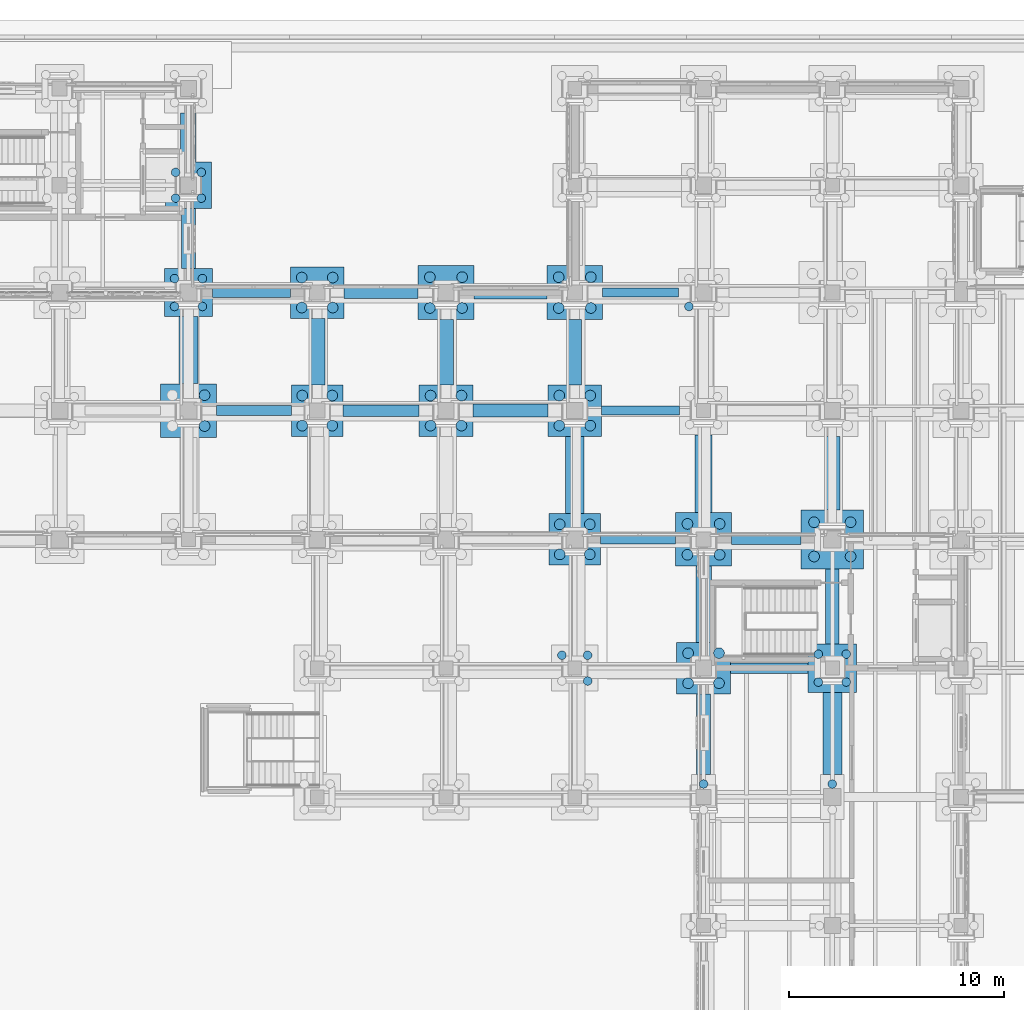
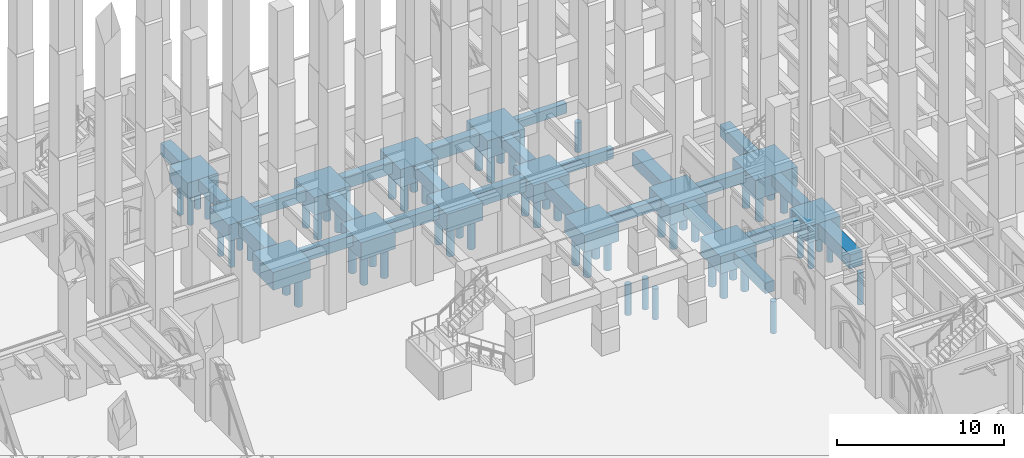
# One storey, part 5 of 135: 60 piles, 38 footings.
"""IFC4 building model written with IfcOpenShell, lengths in metres."""

from ifc_helpers import new_model, si_unit, direction, frame, origin, origin_2d, place, context, subcontext, project, spatial, polyline, rectangle, circle, outline, extrude, material, material_profile, profile_set, type_object, element, save


model = new_model("IFC4")

# Units and contexts
model_context = context("Model", 3, precision=1e-05, world=origin(), true_north=direction((0.0, 1.0)))
body_context = subcontext(model_context, "Body", "Model", "MODEL_VIEW")
ifc_project = project(units=[si_unit("LENGTHUNIT", "METRE"), si_unit("AREAUNIT", "SQUARE_METRE"), si_unit("VOLUMEUNIT", "CUBIC_METRE"), si_unit("PLANEANGLEUNIT", "RADIAN"), si_unit("MASSUNIT", "GRAM", prefix="KILO")], contexts=[model_context])

# Site, building, storey
site_placement = place(None, origin())
site = spatial("IfcSite", under=ifc_project, at=site_placement, CompositionType="ELEMENT")
building_placement = place(site_placement, origin())
building = spatial("IfcBuilding", under=site, at=building_placement, Name="Cumevento Cable Car Station", CompositionType="ELEMENT")
storey_placement = place(building_placement, origin())
storey = spatial("IfcBuildingStorey", under=building, at=storey_placement, Name="L01", CompositionType="ELEMENT", Elevation=0.0)

# Footings
ifc_material_1 = material(Name="Concrete C40/50", Category="concrete")
footing_type_1 = type_object("IfcFootingType", Name="Ground Beam GB-01 420x720", PredefinedType="FOOTING_BEAM", material=ifc_material_1)
footing_1_placement = place(storey_placement, frame((0.0, 0.0, -0.719970703125)))
element("IfcFooting", 1, at=footing_1_placement, inside=storey, type_object=footing_type_1, Name="Ground Tie Beam GB-01 #92", PredefinedType="FOOTING_BEAM", context=body_context, shape_type="SweptSolid", body=[
    extrude(outline(polyline([(53.201904296875, 44.7900390625), (56.697998046875, 44.7900390625), (56.697998046875, 45.2099609375), (53.201904296875, 45.2099609375), (53.201904296875, 44.7900390625)])), origin(), (0.0, 0.0, 1.0), 0.719970703125),
])
footing_2_placement = place(storey_placement, frame((0.0, 0.0, -0.719970703125)))
element("IfcFooting", 2, at=footing_2_placement, inside=storey, type_object=footing_type_1, Name="Ground Tie Beam GB-01 #116", PredefinedType="FOOTING_BEAM", context=body_context, shape_type="SweptSolid", body=[
    extrude(outline(polyline([(53.251953125, 50.7900390625), (56.873046875, 50.7900390625), (56.873046875, 51.2099609375), (53.251953125, 51.2099609375), (53.251953125, 50.7900390625)])), origin(), (0.0, 0.0, 1.0), 0.719970703125),
])
footing_3_placement = place(storey_placement, frame((0.0, 0.0, -0.719970703125)))
element("IfcFooting", 3, at=footing_3_placement, inside=storey, type_object=footing_type_1, Name="Ground Tie Beam GB-01 #136", PredefinedType="FOOTING_BEAM", context=body_context, shape_type="SweptSolid", body=[
    extrude(outline(polyline([(53.302001953125, 56.2900390625), (56.822998046875, 56.2900390625), (56.822998046875, 56.7099609375), (53.302001953125, 56.7099609375), (53.302001953125, 56.2900390625)])), origin(), (0.0, 0.0, 1.0), 0.719970703125),
])
ifc_material_2 = material(Name="Concrete C40/50", Category="concrete")
footing_type_2 = type_object("IfcFootingType", Name="Ground Beam GB-02 480x800", PredefinedType="FOOTING_BEAM", material=ifc_material_2)
footing_4_placement = place(storey_placement, frame((0.0, 0.0, -0.800048828125)))
element("IfcFooting", 4, at=footing_4_placement, inside=storey, type_object=footing_type_2, Name="Ground Tie Beam GB-02 #73", PredefinedType="FOOTING_BEAM", context=body_context, shape_type="SweptSolid", body=[
    extrude(outline(polyline([(59.251953125, 38.760009765625), (62.873046875, 38.760009765625), (62.873046875, 39.239990234375), (59.251953125, 39.239990234375), (59.251953125, 38.760009765625)])), origin(), (0.0, 0.0, 1.0), 0.800048828125),
])
footing_5_placement = place(storey_placement, frame((0.0, 0.0, -0.800048828125)))
element("IfcFooting", 5, at=footing_5_placement, inside=storey, type_object=footing_type_2, Name="Ground Tie Beam GB-02 #93", PredefinedType="FOOTING_BEAM", context=body_context, shape_type="SweptSolid", body=[
    extrude(outline(polyline([(59.302001953125, 44.760009765625), (62.548095703125, 44.760009765625), (62.548095703125, 45.239990234375), (59.302001953125, 45.239990234375), (59.302001953125, 44.760009765625)])), origin(), (0.0, 0.0, 1.0), 0.800048828125),
])
footing_6_placement = place(storey_placement, frame((0.0, 0.0, -0.800048828125)))
element("IfcFooting", 6, at=footing_6_placement, inside=storey, type_object=footing_type_2, Name="Ground Tie Beam GB-02 #113", PredefinedType="FOOTING_BEAM", context=body_context, shape_type="SweptSolid", body=[
    extrude(outline(polyline([(35.302001953125, 50.760009765625), (38.798095703125, 50.760009765625), (38.798095703125, 51.239990234375), (35.302001953125, 51.239990234375), (35.302001953125, 50.760009765625)])), origin(), (0.0, 0.0, 1.0), 0.800048828125),
])
footing_7_placement = place(storey_placement, frame((0.0, 0.0, -0.800048828125)))
element("IfcFooting", 7, at=footing_7_placement, inside=storey, type_object=footing_type_2, Name="Ground Tie Beam GB-02 #133", PredefinedType="FOOTING_BEAM", context=body_context, shape_type="SweptSolid", body=[
    extrude(outline(polyline([(35.126953125, 56.260009765625), (38.748046875, 56.260009765625), (38.748046875, 56.739990234375), (35.126953125, 56.739990234375), (35.126953125, 56.260009765625)])), origin(), (0.0, 0.0, 1.0), 0.800048828125),
])
ifc_material_3 = material(Name="Concrete C40/50", Category="concrete")
footing_type_3 = type_object("IfcFootingType", Name="Ground Beam GB-03 540x880", PredefinedType="FOOTING_BEAM", material=ifc_material_3)
footing_8_placement = place(storey_placement, frame((0.0, 0.0, -0.8798828125)))
element("IfcFooting", 8, at=footing_8_placement, inside=storey, type_object=footing_type_3, Name="Ground Tie Beam GB-03 #114", PredefinedType="FOOTING_BEAM", context=body_context, shape_type="SweptSolid", body=[
    extrude(outline(polyline([(41.201904296875, 50.72998046875), (44.748046875, 50.72998046875), (44.748046875, 51.27001953125), (41.201904296875, 51.27001953125), (41.201904296875, 50.72998046875)])), origin(), (0.0, 0.0, 1.0), 0.8798828125),
])
footing_9_placement = place(storey_placement, frame((0.0, 0.0, -0.8798828125)))
element("IfcFooting", 9, at=footing_9_placement, inside=storey, type_object=footing_type_3, Name="Ground Tie Beam GB-03 #134", PredefinedType="FOOTING_BEAM", context=body_context, shape_type="SweptSolid", body=[
    extrude(outline(polyline([(41.251953125, 56.22998046875), (44.697998046875, 56.22998046875), (44.697998046875, 56.77001953125), (41.251953125, 56.77001953125), (41.251953125, 56.22998046875)])), origin(), (0.0, 0.0, 1.0), 0.8798828125),
])
ifc_material_4 = material(Name="Concrete C40/50", Category="concrete")
footing_type_4 = type_object("IfcFootingType", Name="Ground Beam GB-04 600x960", PredefinedType="FOOTING_BEAM", material=ifc_material_4)
footing_10_placement = place(storey_placement, frame((0.0, 0.0, -0.9599609375)))
element("IfcFooting", 10, at=footing_10_placement, inside=storey, type_object=footing_type_4, Name="Ground Tie Beam GB-04 #115", PredefinedType="FOOTING_BEAM", context=body_context, shape_type="SweptSolid", body=[
    extrude(outline(polyline([(47.251953125, 50.699951171875), (50.748046875, 50.699951171875), (50.748046875, 51.300048828125), (47.251953125, 51.300048828125), (47.251953125, 50.699951171875)])), origin(), (0.0, 0.0, 1.0), 0.9599609375),
])
footing_11_placement = place(storey_placement, frame((0.0, 0.0, -0.9599609375)))
element("IfcFooting", 11, at=footing_11_placement, inside=storey, type_object=footing_type_4, Name="Ground Tie Beam GB-04 #135", PredefinedType="FOOTING_BEAM", context=body_context, shape_type="SweptSolid", body=[
    extrude(outline(polyline([(47.302001953125, 56.199951171875), (50.697998046875, 56.199951171875), (50.697998046875, 56.800048828125), (47.302001953125, 56.800048828125), (47.302001953125, 56.199951171875)])), origin(), (0.0, 0.0, 1.0), 0.9599609375),
])

# Piles
ifc_material_5 = material(Name="Concrete C40/50", Category="concrete")
ifc_material_profile_1 = material_profile(ifc_material_5, circle(Radius=0.199951171875, at=origin_2d()), Name="PILE-D400")
ifc_profile_set_1 = profile_set([ifc_material_profile_1], Name="Concrete C40/50")
pile_type_1 = type_object("IfcPileType", Name="PILE-BORED-400", PredefinedType="BORED", material=ifc_profile_set_1)
for number, where, z_axis, x_axis, name in (
    (12, (33.35009765625, 55.85009765625, -1.199951171875), (0.0, 0.0, -1.0), (1.0, 0.0, 0.0), "Bored Pile PL-400 #127"),
    (13, (34.64990234375, 55.85009765625, -1.199951171875), (0.0, 0.0, -1.0), (1.0, 0.0, 0.0), "Bored Pile PL-400 #128"),
    (14, (33.35009765625, 57.14990234375, -1.199951171875), (0.0, 0.0, -1.0), (1.0, 0.0, 0.0), "Bored Pile PL-400 #129"),
    (15, (34.64990234375, 57.14990234375, -1.199951171875), (0.0, 0.0, -1.0), (1.0, 0.0, 0.0), "Bored Pile PL-400 #130"),
):
    element("IfcPile", number, at=place(storey_placement, frame(where, z_axis=z_axis, x_axis=x_axis)), inside=storey, type_object=pile_type_1, Name=name, PredefinedType="BORED", context=body_context, shape_type="SweptSolid", body=[
        extrude(circle(Radius=0.199951171875, at=origin_2d()), origin(), (0.0, 0.0, 1.0), 2.199951171875),
    ])
for number, where, z_axis, x_axis, name in (
    (16, (33.39990234375, 60.89990234375, -1.14990234375), (0.0, 0.0, -1.0), (1.0, 0.0, 0.0), "Bored Pile PL-400 #131"),
    (17, (34.60009765625, 60.89990234375, -1.14990234375), (0.0, 0.0, -1.0), (1.0, 0.0, 0.0), "Bored Pile PL-400 #132"),
    (18, (33.39990234375, 62.10009765625, -1.14990234375), (0.0, 0.0, -1.0), (1.0, 0.0, 0.0), "Bored Pile PL-400 #133"),
    (19, (34.60009765625, 62.10009765625, -1.14990234375), (0.0, 0.0, -1.0), (1.0, 0.0, 0.0), "Bored Pile PL-400 #134"),
):
    element("IfcPile", number, at=place(storey_placement, frame(where, z_axis=z_axis, x_axis=x_axis)), inside=storey, type_object=pile_type_1, Name=name, PredefinedType="BORED", context=body_context, shape_type="SweptSolid", body=[
        extrude(circle(Radius=0.199951171875, at=origin_2d()), origin(), (0.0, 0.0, 1.0), 2.25),
    ])
pile_1_placement = place(storey_placement, frame((58.0, 33.60009765625, -1.050048828125), z_axis=(0.0, 0.0, -1.0), x_axis=(1.0, 0.0, 0.0)))
element("IfcPile", 20, at=pile_1_placement, inside=storey, type_object=pile_type_1, Name="Bored Pile PL-400 #214", PredefinedType="BORED", context=body_context, shape_type="SweptSolid", body=[
    extrude(circle(Radius=0.199951171875, at=origin_2d()), origin(), (0.0, 0.0, 1.0), 2.35009765625),
])
pile_2_placement = place(storey_placement, frame((57.320068359375, 55.85009765625, -1.219970703125), z_axis=(0.0, 0.0, -1.0), x_axis=(1.0, 0.0, 0.0)))
element("IfcPile", 21, at=pile_2_placement, inside=storey, type_object=pile_type_1, Name="Bored Pile PL-400 #227", PredefinedType="BORED", context=body_context, shape_type="SweptSolid", body=[
    extrude(circle(Radius=0.199951171875, at=origin_2d()), origin(), (0.0, 0.0, 1.0), 2.179931640625),
])
pile_3_placement = place(storey_placement, frame((64.0, 33.60009765625, -1.050048828125), z_axis=(0.0, 0.0, -1.0), x_axis=(1.0, 0.0, 0.0)))
element("IfcPile", 22, at=pile_3_placement, inside=storey, type_object=pile_type_1, Name="Bored Pile PL-400 #250", PredefinedType="BORED", context=body_context, shape_type="SweptSolid", body=[
    extrude(circle(Radius=0.199951171875, at=origin_2d()), origin(), (0.0, 0.0, 1.0), 2.35009765625),
])
for number, where, z_axis, x_axis, name in (
    (23, (63.35009765625, 38.35009765625, -1.199951171875), (0.0, 0.0, -1.0), (1.0, 0.0, 0.0), "Bored Pile PL-400 #251"),
    (24, (64.64990234375, 38.35009765625, -1.199951171875), (0.0, 0.0, -1.0), (1.0, 0.0, 0.0), "Bored Pile PL-400 #252"),
    (25, (63.35009765625, 39.64990234375, -1.199951171875), (0.0, 0.0, -1.0), (1.0, 0.0, 0.0), "Bored Pile PL-400 #253"),
    (26, (64.64990234375, 39.64990234375, -1.199951171875), (0.0, 0.0, -1.0), (1.0, 0.0, 0.0), "Bored Pile PL-400 #254"),
):
    element("IfcPile", number, at=place(storey_placement, frame(where, z_axis=z_axis, x_axis=x_axis)), inside=storey, type_object=pile_type_1, Name=name, PredefinedType="BORED", context=body_context, shape_type="SweptSolid", body=[
        extrude(circle(Radius=0.199951171875, at=origin_2d()), origin(), (0.0, 0.0, 1.0), 2.199951171875),
    ])
for number, where, z_axis, x_axis, name in (
    (27, (52.60009765625, 38.39990234375, -1.14990234375), (0.0, 0.0, -1.0), (1.0, 0.0, 0.0), "Bored Pile PL-400 Ext #38"),
    (28, (51.39990234375, 39.60009765625, -1.14990234375), (0.0, 0.0, -1.0), (1.0, 0.0, 0.0), "Bored Pile PL-400 Ext #39"),
    (29, (52.60009765625, 39.60009765625, -1.14990234375), (0.0, 0.0, -1.0), (1.0, 0.0, 0.0), "Bored Pile PL-400 Ext #40"),
):
    element("IfcPile", number, at=place(storey_placement, frame(where, z_axis=z_axis, x_axis=x_axis)), inside=storey, type_object=pile_type_1, Name=name, PredefinedType="BORED", context=body_context, shape_type="SweptSolid", body=[
        extrude(circle(Radius=0.199951171875, at=origin_2d()), origin(), (0.0, 0.0, 1.0), 2.25),
    ])
ifc_material_6 = material(Name="Concrete C40/50", Category="concrete")
ifc_material_profile_2 = material_profile(ifc_material_6, circle(Radius=0.25, at=origin_2d()), Name="PILE-D500")
ifc_profile_set_2 = profile_set([ifc_material_profile_2], Name="Concrete C40/50")
pile_type_2 = type_object("IfcPileType", Name="PILE-BORED-500", PredefinedType="BORED", material=ifc_profile_set_2)
for number, where, z_axis, x_axis, name in (
    (30, (34.75, 50.280029296875, -1.300048828125), (0.0, 0.0, -1.0), (1.0, 0.0, 0.0), "Bored Pile PL-500 #124"),
    (31, (34.75, 51.719970703125, -1.300048828125), (0.0, 0.0, -1.0), (1.0, 0.0, 0.0), "Bored Pile PL-500 #126"),
):
    element("IfcPile", number, at=place(storey_placement, frame(where, z_axis=z_axis, x_axis=x_axis)), inside=storey, type_object=pile_type_2, Name=name, PredefinedType="BORED", context=body_context, shape_type="SweptSolid", body=[
        extrude(circle(Radius=0.25, at=origin_2d()), origin(), (0.0, 0.0, 1.0), 2.10009765625),
    ])
for number, where, z_axis, x_axis, name in (
    (32, (39.300048828125, 50.300048828125, -1.25), (0.0, 0.0, -1.0), (1.0, 0.0, 0.0), "Bored Pile PL-500 #153"),
    (33, (40.699951171875, 50.300048828125, -1.25), (0.0, 0.0, -1.0), (1.0, 0.0, 0.0), "Bored Pile PL-500 #154"),
    (34, (39.300048828125, 51.699951171875, -1.25), (0.0, 0.0, -1.0), (1.0, 0.0, 0.0), "Bored Pile PL-500 #155"),
    (35, (40.699951171875, 51.699951171875, -1.25), (0.0, 0.0, -1.0), (1.0, 0.0, 0.0), "Bored Pile PL-500 #156"),
):
    element("IfcPile", number, at=place(storey_placement, frame(where, z_axis=z_axis, x_axis=x_axis)), inside=storey, type_object=pile_type_2, Name=name, PredefinedType="BORED", context=body_context, shape_type="SweptSolid", body=[
        extrude(circle(Radius=0.25, at=origin_2d()), origin(), (0.0, 0.0, 1.0), 2.14990234375),
    ])
for number, where, z_axis, x_axis, name in (
    (36, (39.280029296875, 55.800048828125, -1.280029296875), (0.0, 0.0, -1.0), (1.0, 0.0, 0.0), "Bored Pile PL-500 #157"),
    (37, (40.719970703125, 55.800048828125, -1.280029296875), (0.0, 0.0, -1.0), (1.0, 0.0, 0.0), "Bored Pile PL-500 #158"),
    (38, (39.280029296875, 57.199951171875, -1.280029296875), (0.0, 0.0, -1.0), (1.0, 0.0, 0.0), "Bored Pile PL-500 #159"),
    (39, (40.719970703125, 57.199951171875, -1.280029296875), (0.0, 0.0, -1.0), (1.0, 0.0, 0.0), "Bored Pile PL-500 #160"),
    (40, (45.280029296875, 50.300048828125, -1.280029296875), (0.0, 0.0, -1.0), (1.0, 0.0, 0.0), "Bored Pile PL-500 #171"),
    (41, (46.719970703125, 50.300048828125, -1.280029296875), (0.0, 0.0, -1.0), (1.0, 0.0, 0.0), "Bored Pile PL-500 #172"),
    (42, (45.280029296875, 51.699951171875, -1.280029296875), (0.0, 0.0, -1.0), (1.0, 0.0, 0.0), "Bored Pile PL-500 #173"),
    (43, (46.719970703125, 51.699951171875, -1.280029296875), (0.0, 0.0, -1.0), (1.0, 0.0, 0.0), "Bored Pile PL-500 #174"),
):
    element("IfcPile", number, at=place(storey_placement, frame(where, z_axis=z_axis, x_axis=x_axis)), inside=storey, type_object=pile_type_2, Name=name, PredefinedType="BORED", context=body_context, shape_type="SweptSolid", body=[
        extrude(circle(Radius=0.25, at=origin_2d()), origin(), (0.0, 0.0, 1.0), 2.1201171875),
    ])
for number, where, z_axis, x_axis, name in (
    (44, (45.25, 55.780029296875, -1.300048828125), (0.0, 0.0, -1.0), (1.0, 0.0, 0.0), "Bored Pile PL-500 #175"),
    (45, (46.75, 55.780029296875, -1.300048828125), (0.0, 0.0, -1.0), (1.0, 0.0, 0.0), "Bored Pile PL-500 #176"),
    (46, (45.25, 57.219970703125, -1.300048828125), (0.0, 0.0, -1.0), (1.0, 0.0, 0.0), "Bored Pile PL-500 #177"),
    (47, (46.75, 57.219970703125, -1.300048828125), (0.0, 0.0, -1.0), (1.0, 0.0, 0.0), "Bored Pile PL-500 #178"),
):
    element("IfcPile", number, at=place(storey_placement, frame(where, z_axis=z_axis, x_axis=x_axis)), inside=storey, type_object=pile_type_2, Name=name, PredefinedType="BORED", context=body_context, shape_type="SweptSolid", body=[
        extrude(circle(Radius=0.25, at=origin_2d()), origin(), (0.0, 0.0, 1.0), 2.10009765625),
    ])
for number, where, z_axis, x_axis, name in (
    (48, (51.300048828125, 44.300048828125, -1.25), (0.0, 0.0, -1.0), (1.0, 0.0, 0.0), "Bored Pile PL-500 #183"),
    (49, (52.699951171875, 44.300048828125, -1.25), (0.0, 0.0, -1.0), (1.0, 0.0, 0.0), "Bored Pile PL-500 #184"),
    (50, (51.300048828125, 45.699951171875, -1.25), (0.0, 0.0, -1.0), (1.0, 0.0, 0.0), "Bored Pile PL-500 #185"),
    (51, (52.699951171875, 45.699951171875, -1.25), (0.0, 0.0, -1.0), (1.0, 0.0, 0.0), "Bored Pile PL-500 #186"),
):
    element("IfcPile", number, at=place(storey_placement, frame(where, z_axis=z_axis, x_axis=x_axis)), inside=storey, type_object=pile_type_2, Name=name, PredefinedType="BORED", context=body_context, shape_type="SweptSolid", body=[
        extrude(circle(Radius=0.25, at=origin_2d()), origin(), (0.0, 0.0, 1.0), 2.14990234375),
    ])
for number, where, z_axis, x_axis, name in (
    (52, (51.280029296875, 50.300048828125, -1.280029296875), (0.0, 0.0, -1.0), (1.0, 0.0, 0.0), "Bored Pile PL-500 #187"),
    (53, (52.719970703125, 50.300048828125, -1.280029296875), (0.0, 0.0, -1.0), (1.0, 0.0, 0.0), "Bored Pile PL-500 #188"),
    (54, (51.280029296875, 51.699951171875, -1.280029296875), (0.0, 0.0, -1.0), (1.0, 0.0, 0.0), "Bored Pile PL-500 #189"),
    (55, (52.719970703125, 51.699951171875, -1.280029296875), (0.0, 0.0, -1.0), (1.0, 0.0, 0.0), "Bored Pile PL-500 #190"),
):
    element("IfcPile", number, at=place(storey_placement, frame(where, z_axis=z_axis, x_axis=x_axis)), inside=storey, type_object=pile_type_2, Name=name, PredefinedType="BORED", context=body_context, shape_type="SweptSolid", body=[
        extrude(circle(Radius=0.25, at=origin_2d()), origin(), (0.0, 0.0, 1.0), 2.1201171875),
    ])
for number, where, z_axis, x_axis, name in (
    (56, (51.25, 55.780029296875, -1.300048828125), (0.0, 0.0, -1.0), (1.0, 0.0, 0.0), "Bored Pile PL-500 #191"),
    (57, (52.75, 55.780029296875, -1.300048828125), (0.0, 0.0, -1.0), (1.0, 0.0, 0.0), "Bored Pile PL-500 #192"),
    (58, (51.25, 57.219970703125, -1.300048828125), (0.0, 0.0, -1.0), (1.0, 0.0, 0.0), "Bored Pile PL-500 #193"),
    (59, (52.75, 57.219970703125, -1.300048828125), (0.0, 0.0, -1.0), (1.0, 0.0, 0.0), "Bored Pile PL-500 #194"),
):
    element("IfcPile", number, at=place(storey_placement, frame(where, z_axis=z_axis, x_axis=x_axis)), inside=storey, type_object=pile_type_2, Name=name, PredefinedType="BORED", context=body_context, shape_type="SweptSolid", body=[
        extrude(circle(Radius=0.25, at=origin_2d()), origin(), (0.0, 0.0, 1.0), 2.10009765625),
    ])
for number, where, z_axis, x_axis, name in (
    (60, (57.280029296875, 38.300048828125, -1.280029296875), (0.0, 0.0, -1.0), (1.0, 0.0, 0.0), "Bored Pile PL-500 #215"),
    (61, (58.719970703125, 38.300048828125, -1.280029296875), (0.0, 0.0, -1.0), (1.0, 0.0, 0.0), "Bored Pile PL-500 #216"),
    (62, (57.280029296875, 39.699951171875, -1.280029296875), (0.0, 0.0, -1.0), (1.0, 0.0, 0.0), "Bored Pile PL-500 #217"),
    (63, (58.719970703125, 39.699951171875, -1.280029296875), (0.0, 0.0, -1.0), (1.0, 0.0, 0.0), "Bored Pile PL-500 #218"),
):
    element("IfcPile", number, at=place(storey_placement, frame(where, z_axis=z_axis, x_axis=x_axis)), inside=storey, type_object=pile_type_2, Name=name, PredefinedType="BORED", context=body_context, shape_type="SweptSolid", body=[
        extrude(circle(Radius=0.25, at=origin_2d()), origin(), (0.0, 0.0, 1.0), 2.1201171875),
    ])
for number, where, z_axis, x_axis, name in (
    (64, (57.25, 44.280029296875, -1.300048828125), (0.0, 0.0, -1.0), (1.0, 0.0, 0.0), "Bored Pile PL-500 #219"),
    (65, (58.75, 44.280029296875, -1.300048828125), (0.0, 0.0, -1.0), (1.0, 0.0, 0.0), "Bored Pile PL-500 #220"),
    (66, (57.25, 45.719970703125, -1.300048828125), (0.0, 0.0, -1.0), (1.0, 0.0, 0.0), "Bored Pile PL-500 #221"),
    (67, (58.75, 45.719970703125, -1.300048828125), (0.0, 0.0, -1.0), (1.0, 0.0, 0.0), "Bored Pile PL-500 #222"),
):
    element("IfcPile", number, at=place(storey_placement, frame(where, z_axis=z_axis, x_axis=x_axis)), inside=storey, type_object=pile_type_2, Name=name, PredefinedType="BORED", context=body_context, shape_type="SweptSolid", body=[
        extrude(circle(Radius=0.25, at=origin_2d()), origin(), (0.0, 0.0, 1.0), 2.10009765625),
    ])
for number, where, z_axis, x_axis, name in (
    (68, (63.14990234375, 44.199951171875, -1.419921875), (0.0, 0.0, -1.0), (1.0, 0.0, 0.0), "Bored Pile PL-500 #255"),
    (69, (64.85009765625, 44.199951171875, -1.419921875), (0.0, 0.0, -1.0), (1.0, 0.0, 0.0), "Bored Pile PL-500 #256"),
    (70, (63.14990234375, 45.800048828125, -1.419921875), (0.0, 0.0, -1.0), (1.0, 0.0, 0.0), "Bored Pile PL-500 #257"),
    (71, (64.85009765625, 45.800048828125, -1.419921875), (0.0, 0.0, -1.0), (1.0, 0.0, 0.0), "Bored Pile PL-500 #258"),
):
    element("IfcPile", number, at=place(storey_placement, frame(where, z_axis=z_axis, x_axis=x_axis)), inside=storey, type_object=pile_type_2, Name=name, PredefinedType="BORED", context=body_context, shape_type="SweptSolid", body=[
        extrude(circle(Radius=0.25, at=origin_2d()), origin(), (0.0, 0.0, 1.0), 1.97998046875),
    ])

# Footings
ifc_material_7 = material(Name="Concrete C40/50", Category="concrete")
footing_type_5 = type_object("IfcFootingType", Name="Pile Cap PC-06 2150x2150x1150", PredefinedType="PILE_CAP", material=ifc_material_7)
footing_12_placement = place(storey_placement, frame((34.0, 61.5, -1.14990234375), z_axis=(0.0, 0.0, 1.0), x_axis=(1.0, 0.0, 0.0)))
element("IfcFooting", 72, at=footing_12_placement, inside=storey, type_object=footing_type_5, Name="Pile Cap PC-06 at (34.0,61.5)", PredefinedType="PILE_CAP", context=body_context, shape_type="SweptSolid", body=[
    extrude(rectangle(XDim=2.14990234375, YDim=2.14990234375, at=origin_2d()), origin(), (0.0, 0.0, 1.0), 1.14990234375),
])
ifc_material_8 = material(Name="Concrete C40/50", Category="concrete")
footing_type_6 = type_object("IfcFootingType", Name="Pile Cap PC-07 2250x2250x1200", PredefinedType="PILE_CAP", material=ifc_material_8)
for number, where, z_axis, x_axis, name in (
    (73, (34.0, 56.5, -1.2001953125), (0.0, 0.0, 1.0), (1.0, 0.0, 0.0), "Pile Cap PC-07 at (34.0,56.5)"),
    (74, (64.0, 39.0, -1.2001953125), (0.0, 0.0, 1.0), (1.0, 0.0, 0.0), "Pile Cap PC-07 at (64.0,39.0)"),
):
    element("IfcFooting", number, at=place(storey_placement, frame(where, z_axis=z_axis, x_axis=x_axis)), inside=storey, type_object=footing_type_6, Name=name, PredefinedType="PILE_CAP", context=body_context, shape_type="SweptSolid", body=[
        extrude(rectangle(XDim=2.25, YDim=2.25, at=origin_2d()), origin(), (0.0, 0.0, 1.0), 1.199951171875),
    ])
ifc_material_9 = material(Name="Concrete C40/50", Category="concrete")
footing_type_7 = type_object("IfcFootingType", Name="Pile Cap PC-09 2400x2400x1250", PredefinedType="PILE_CAP", material=ifc_material_9)
for number, where, z_axis, x_axis, name in (
    (75, (40.0, 51.0, -1.25), (0.0, 0.0, 1.0), (1.0, 0.0, 0.0), "Pile Cap PC-09 at (40.0,51.0)"),
    (76, (52.0, 45.0, -1.25), (0.0, 0.0, 1.0), (1.0, 0.0, 0.0), "Pile Cap PC-09 at (52.0,45.0)"),
):
    element("IfcFooting", number, at=place(storey_placement, frame(where, z_axis=z_axis, x_axis=x_axis)), inside=storey, type_object=footing_type_7, Name=name, PredefinedType="PILE_CAP", context=body_context, shape_type="SweptSolid", body=[
        extrude(rectangle(XDim=2.39990234375, YDim=2.39990234375, at=origin_2d()), origin(), (0.0, 0.0, 1.0), 1.25),
    ])
ifc_material_10 = material(Name="Concrete C40/50", Category="concrete")
footing_type_8 = type_object("IfcFootingType", Name="Pile Cap PC-10 2500x2400x1280", PredefinedType="PILE_CAP", material=ifc_material_10)
for number, where, z_axis, x_axis, name in (
    (77, (40.0, 56.5, -1.27978515625), (0.0, 0.0, 1.0), (1.0, 0.0, 0.0), "Pile Cap PC-10 at (40.0,56.5)"),
    (78, (46.0, 51.0, -1.27978515625), (0.0, 0.0, 1.0), (1.0, 0.0, 0.0), "Pile Cap PC-10 at (46.0,51.0)"),
    (79, (52.0, 51.0, -1.27978515625), (0.0, 0.0, 1.0), (1.0, 0.0, 0.0), "Pile Cap PC-10 at (52.0,51.0)"),
    (80, (58.0, 39.0, -1.27978515625), (0.0, 0.0, 1.0), (1.0, 0.0, 0.0), "Pile Cap PC-10 at (58.0,39.0)"),
):
    element("IfcFooting", number, at=place(storey_placement, frame(where, z_axis=z_axis, x_axis=x_axis)), inside=storey, type_object=footing_type_8, Name=name, PredefinedType="PILE_CAP", context=body_context, shape_type="SweptSolid", body=[
        extrude(rectangle(XDim=2.5, YDim=2.39990234375, at=origin_2d()), origin(), (0.0, 0.0, 1.0), 1.280029296875),
    ])
ifc_material_11 = material(Name="Concrete C40/50", Category="concrete")
footing_type_9 = type_object("IfcFootingType", Name="Pile Cap PC-11 2600x2500x1300", PredefinedType="PILE_CAP", material=ifc_material_11)
for number, where, z_axis, x_axis, name in (
    (81, (34.0, 51.0, -1.2998046875), (0.0, 0.0, 1.0), (1.0, 0.0, 0.0), "Pile Cap PC-11 at (34.0,51.0)"),
    (82, (46.0, 56.5, -1.2998046875), (0.0, 0.0, 1.0), (1.0, 0.0, 0.0), "Pile Cap PC-11 at (46.0,56.5)"),
    (83, (52.0, 56.5, -1.2998046875), (0.0, 0.0, 1.0), (1.0, 0.0, 0.0), "Pile Cap PC-11 at (52.0,56.5)"),
    (84, (58.0, 45.0, -1.2998046875), (0.0, 0.0, 1.0), (1.0, 0.0, 0.0), "Pile Cap PC-11 at (58.0,45.0)"),
):
    element("IfcFooting", number, at=place(storey_placement, frame(where, z_axis=z_axis, x_axis=x_axis)), inside=storey, type_object=footing_type_9, Name=name, PredefinedType="PILE_CAP", context=body_context, shape_type="SweptSolid", body=[
        extrude(rectangle(XDim=2.60009765625, YDim=2.5, at=origin_2d()), origin(), (0.0, 0.0, 1.0), 1.300048828125),
    ])
ifc_material_12 = material(Name="Concrete C40/50", Category="concrete")
footing_type_10 = type_object("IfcFootingType", Name="Pile Cap PC-14 2900x2750x1420", PredefinedType="PILE_CAP", material=ifc_material_12)
footing_13_placement = place(storey_placement, frame((64.0, 45.0, -1.419921875), z_axis=(0.0, 0.0, 1.0), x_axis=(1.0, 0.0, 0.0)))
element("IfcFooting", 85, at=footing_13_placement, inside=storey, type_object=footing_type_10, Name="Pile Cap PC-14 at (64.0,45.0)", PredefinedType="PILE_CAP", context=body_context, shape_type="SweptSolid", body=[
    extrude(rectangle(XDim=2.89990234375, YDim=2.75, at=origin_2d()), origin(), (0.0, 0.0, 1.0), 1.419921875),
])
ifc_material_13 = material(Name="Concrete C40/50", Category="concrete")
footing_type_11 = type_object("IfcFootingType", Name="Strip Footing SF-01 640x780", PredefinedType="STRIP_FOOTING", material=ifc_material_13)
footing_14_placement = place(storey_placement, frame((0.0, 0.0, -0.780029296875)))
element("IfcFooting", 86, at=footing_14_placement, inside=storey, type_object=footing_type_11, Name="Strip Footing SF-01 #192", PredefinedType="STRIP_FOOTING", context=body_context, shape_type="SweptSolid", body=[
    extrude(outline(polyline([(33.679931640625, 57.626953125), (34.320068359375, 57.626953125), (34.320068359375, 60.423095703125), (33.679931640625, 60.423095703125), (33.679931640625, 57.626953125)])), origin(), (0.0, 0.0, 1.0), 0.780029296875),
])
footing_15_placement = place(storey_placement, frame((0.0, 0.0, -0.780029296875)))
element("IfcFooting", 87, at=footing_15_placement, inside=storey, type_object=footing_type_11, Name="Strip Footing SF-01 #204", PredefinedType="STRIP_FOOTING", context=body_context, shape_type="SweptSolid", body=[
    extrude(outline(polyline([(51.679931640625, 52.201904296875), (52.320068359375, 52.201904296875), (52.320068359375, 55.248046875), (51.679931640625, 55.248046875), (51.679931640625, 52.201904296875)])), origin(), (0.0, 0.0, 1.0), 0.780029296875),
])
footing_16_placement = place(storey_placement, frame((0.0, 0.0, -0.780029296875)))
element("IfcFooting", 88, at=footing_16_placement, inside=storey, type_object=footing_type_11, Name="Strip Footing SF-01 #212", PredefinedType="STRIP_FOOTING", context=body_context, shape_type="SweptSolid", body=[
    extrude(outline(polyline([(57.679931640625, 34.052001953125), (58.320068359375, 34.052001953125), (58.320068359375, 37.798095703125), (57.679931640625, 37.798095703125), (57.679931640625, 34.052001953125)])), origin(), (0.0, 0.0, 1.0), 0.780029296875),
])
footing_17_placement = place(storey_placement, frame((0.0, 0.0, -0.780029296875)))
element("IfcFooting", 89, at=footing_17_placement, inside=storey, type_object=footing_type_11, Name="Strip Footing SF-01 #224", PredefinedType="STRIP_FOOTING", context=body_context, shape_type="SweptSolid", body=[
    extrude(outline(polyline([(63.679931640625, 40.126953125), (64.320068359375, 40.126953125), (64.320068359375, 43.623046875), (63.679931640625, 43.623046875), (63.679931640625, 40.126953125)])), origin(), (0.0, 0.0, 1.0), 0.780029296875),
])
ifc_material_14 = material(Name="Concrete C40/50", Category="concrete")
footing_type_12 = type_object("IfcFootingType", Name="Strip Footing SF-02 720x860", PredefinedType="STRIP_FOOTING", material=ifc_material_14)
footing_18_placement = place(storey_placement, frame((0.0, 0.0, -0.860107421875)))
element("IfcFooting", 90, at=footing_18_placement, inside=storey, type_object=footing_type_12, Name="Strip Footing SF-02 #193", PredefinedType="STRIP_FOOTING", context=body_context, shape_type="SweptSolid", body=[
    extrude(outline(polyline([(33.639892578125, 62.576904296875), (34.360107421875, 62.576904296875), (34.360107421875, 64.873046875), (33.639892578125, 64.873046875), (33.639892578125, 62.576904296875)])), origin(), (0.0, 0.0, 1.0), 0.860107421875),
])
footing_19_placement = place(storey_placement, frame((0.0, 0.0, -0.860107421875)))
element("IfcFooting", 91, at=footing_19_placement, inside=storey, type_object=footing_type_12, Name="Strip Footing SF-02 #197", PredefinedType="STRIP_FOOTING", context=body_context, shape_type="SweptSolid", body=[
    extrude(outline(polyline([(39.639892578125, 52.201904296875), (40.360107421875, 52.201904296875), (40.360107421875, 55.298095703125), (39.639892578125, 55.298095703125), (39.639892578125, 52.201904296875)])), origin(), (0.0, 0.0, 1.0), 0.860107421875),
])
footing_20_placement = place(storey_placement, frame((0.0, 0.0, -0.860107421875)))
element("IfcFooting", 92, at=footing_20_placement, inside=storey, type_object=footing_type_12, Name="Strip Footing SF-02 #201", PredefinedType="STRIP_FOOTING", context=body_context, shape_type="SweptSolid", body=[
    extrude(outline(polyline([(45.639892578125, 52.201904296875), (46.360107421875, 52.201904296875), (46.360107421875, 55.248046875), (45.639892578125, 55.248046875), (45.639892578125, 52.201904296875)])), origin(), (0.0, 0.0, 1.0), 0.860107421875),
])
footing_21_placement = place(storey_placement, frame((0.0, 0.0, -0.860107421875)))
element("IfcFooting", 93, at=footing_21_placement, inside=storey, type_object=footing_type_12, Name="Strip Footing SF-02 #213", PredefinedType="STRIP_FOOTING", context=body_context, shape_type="SweptSolid", body=[
    extrude(outline(polyline([(57.639892578125, 40.201904296875), (58.360107421875, 40.201904296875), (58.360107421875, 43.748046875), (57.639892578125, 43.748046875), (57.639892578125, 40.201904296875)])), origin(), (0.0, 0.0, 1.0), 0.860107421875),
])
footing_22_placement = place(storey_placement, frame((0.0, 0.0, -0.860107421875)))
element("IfcFooting", 94, at=footing_22_placement, inside=storey, type_object=footing_type_12, Name="Strip Footing SF-02 #225", PredefinedType="STRIP_FOOTING", context=body_context, shape_type="SweptSolid", body=[
    extrude(outline(polyline([(63.639892578125, 46.376953125), (64.360107421875, 46.376953125), (64.360107421875, 49.798095703125), (63.639892578125, 49.798095703125), (63.639892578125, 46.376953125)])), origin(), (0.0, 0.0, 1.0), 0.860107421875),
])
ifc_material_15 = material(Name="Concrete C40/50", Category="concrete")
footing_type_13 = type_object("IfcFootingType", Name="Strip Footing SF-03 800x940", PredefinedType="STRIP_FOOTING", material=ifc_material_15)
footing_23_placement = place(storey_placement, frame((0.0, 0.0, -0.93994140625)))
element("IfcFooting", 95, at=footing_23_placement, inside=storey, type_object=footing_type_13, Name="Strip Footing SF-03 #214", PredefinedType="STRIP_FOOTING", context=body_context, shape_type="SweptSolid", body=[
    extrude(outline(polyline([(57.60009765625, 46.251953125), (58.39990234375, 46.251953125), (58.39990234375, 49.873046875), (57.60009765625, 49.873046875), (57.60009765625, 46.251953125)])), origin(), (0.0, 0.0, 1.0), 0.93994140625),
])
ifc_material_16 = material(Name="Concrete C40/50", Category="concrete")
footing_type_14 = type_object("IfcFootingType", Name="Strip Footing SF-04 880x1020", PredefinedType="STRIP_FOOTING", material=ifc_material_16)
footing_24_placement = place(storey_placement, frame((0.0, 0.0, -1.02001953125)))
element("IfcFooting", 96, at=footing_24_placement, inside=storey, type_object=footing_type_14, Name="Strip Footing SF-04 #191", PredefinedType="STRIP_FOOTING", context=body_context, shape_type="SweptSolid", body=[
    extrude(outline(polyline([(33.56005859375, 52.251953125), (34.43994140625, 52.251953125), (34.43994140625, 55.373046875), (33.56005859375, 55.373046875), (33.56005859375, 52.251953125)])), origin(), (0.0, 0.0, 1.0), 1.02001953125),
])
footing_25_placement = place(storey_placement, frame((0.0, 0.0, -1.02001953125)))
element("IfcFooting", 97, at=footing_25_placement, inside=storey, type_object=footing_type_14, Name="Strip Footing SF-04 #203", PredefinedType="STRIP_FOOTING", context=body_context, shape_type="SweptSolid", body=[
    extrude(outline(polyline([(51.56005859375, 46.201904296875), (52.43994140625, 46.201904296875), (52.43994140625, 49.798095703125), (51.56005859375, 49.798095703125), (51.56005859375, 46.201904296875)])), origin(), (0.0, 0.0, 1.0), 1.02001953125),
])
footing_26_placement = place(storey_placement, frame((0.0, 0.0, -1.02001953125)))
element("IfcFooting", 98, at=footing_26_placement, inside=storey, type_object=footing_type_14, Name="Strip Footing SF-04 #223", PredefinedType="STRIP_FOOTING", context=body_context, shape_type="SweptSolid", body=[
    extrude(outline(polyline([(63.56005859375, 34.052001953125), (64.43994140625, 34.052001953125), (64.43994140625, 37.873046875), (63.56005859375, 37.873046875), (63.56005859375, 34.052001953125)])), origin(), (0.0, 0.0, 1.0), 1.02001953125),
])

save(model, "model.ifc")
